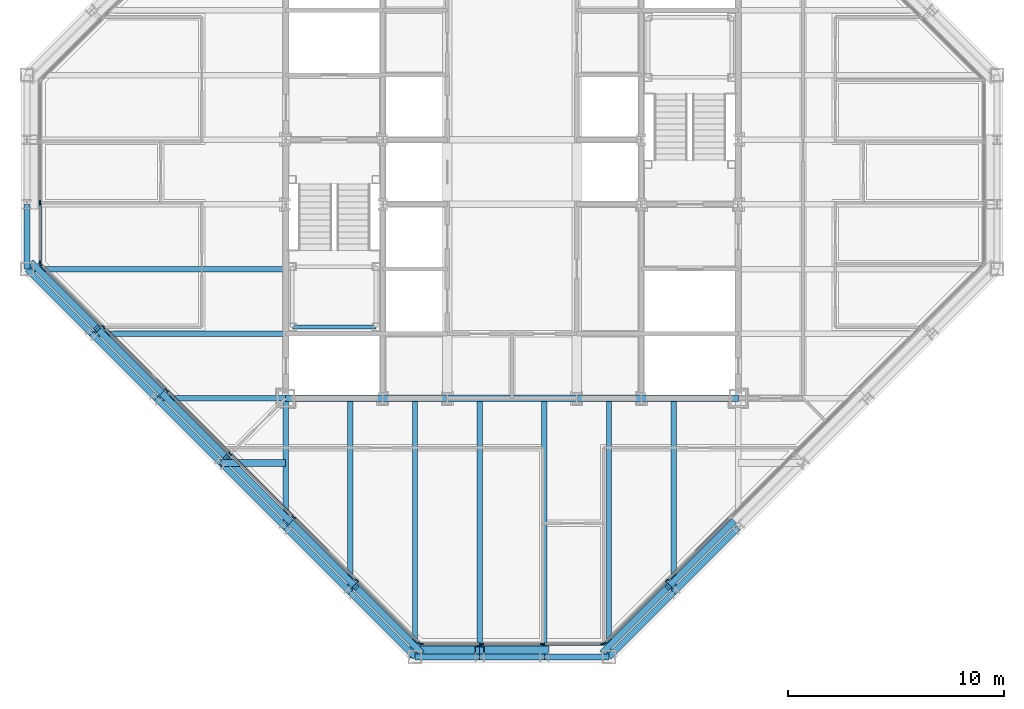
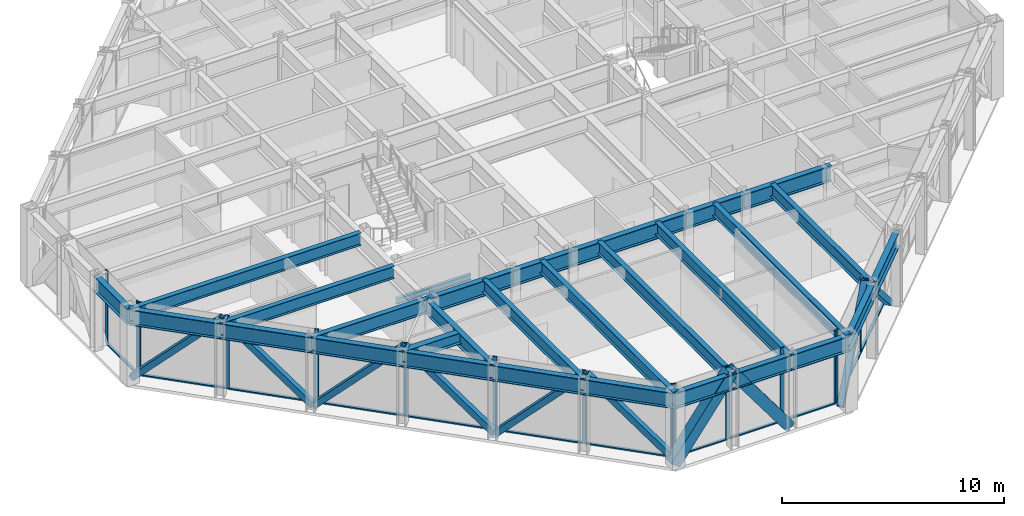
# One storey, part 5 of 15: 37 members, 29 beams, 4 elements without a shape of their own.
"""IFC4 building model written with IfcOpenShell, lengths in metres."""

from ifc_helpers import new_model, si_unit, direction, frame, origin, origin_2d, place, context, subcontext, project, spatial, rectangle, hollow_rectangle, i_section, extrude, material, layer, layer_set, material_profile, profile_set, type_object, element, aggregate, save


model = new_model("IFC4")

# Units and contexts
model_context = context("Model", 3, precision=1e-05, world=origin(), true_north=direction((0.0, 1.0)))
body_context = subcontext(model_context, "Body", "Model", "MODEL_VIEW")
ifc_project = project(units=[si_unit("LENGTHUNIT", "METRE"), si_unit("AREAUNIT", "SQUARE_METRE"), si_unit("VOLUMEUNIT", "CUBIC_METRE"), si_unit("PLANEANGLEUNIT", "RADIAN"), si_unit("MASSUNIT", "GRAM", prefix="KILO")], contexts=[model_context])

# Site, building, storey
site_placement = place(None, origin())
site = spatial("IfcSite", under=ifc_project, at=site_placement, CompositionType="ELEMENT")
building_placement = place(site_placement, origin())
building = spatial("IfcBuilding", under=site, at=building_placement, Name="Chuquiago Exchange Tower", CompositionType="ELEMENT")
storey_placement = place(building_placement, frame((0.0, 0.0, 279.0)))
storey = spatial("IfcBuildingStorey", under=building, at=storey_placement, Name="L62", CompositionType="ELEMENT", Elevation=279.0)

# Beams
ifc_material_1 = material(Name="Steel ASTM A992", Category="steel")
ifc_material_profile_1 = material_profile(ifc_material_1, i_section(OverallWidth=0.25390625, OverallDepth=0.683349609375, WebThickness=0.012451171875, FlangeThickness=0.018798828125, at=origin_2d()), Name="W27X94")
ifc_profile_set_1 = profile_set([ifc_material_profile_1], Name="Steel ASTM A992")
beam_type_1 = type_object("IfcBeamType", Name="B1 W27X94", PredefinedType="BEAM", material=ifc_profile_set_1)
beam_1_placement = place(storey_placement, frame((15.0, 12.0, 3.698486328125), z_axis=(0.0, -1.0, 0.0), x_axis=(1.0, 0.0, 0.0)))
element("IfcBeam", 1, at=beam_1_placement, inside=storey, type_object=beam_type_1, Name="FB-L63-infill-15_12-15_3-0", PredefinedType="BEAM", context=body_context, shape_type="SweptSolid", body=[
    extrude(i_section(OverallWidth=0.25390625, OverallDepth=0.683349609375, WebThickness=0.012451171875, FlangeThickness=0.018798828125, at=origin_2d()), origin(), (0.0, 0.0, 1.0), 9.0),
])
for number, where, z_axis, x_axis, name in (
    (2, (18.0, 12.0, 3.698486328125), (0.0, -1.0, 0.0), (1.0, 0.0, 0.0), "FB-L63-infill-18_12-18_-0-0"),
    (3, (21.0, 12.0, 3.698486328125), (0.0, -1.0, 0.0), (1.0, 0.0, 0.0), "FB-L63-infill-21_12-21_-0-0"),
    (4, (24.0, 12.0, 3.698486328125), (0.0, -1.0, 0.0), (1.0, 0.0, 0.0), "FB-L63-infill-24_12-24_-0-0"),
    (5, (27.0, 12.0, 3.698486328125), (0.0, -1.0, 0.0), (1.0, 0.0, 0.0), "FB-L63-infill-27_12-27_-0-0"),
):
    element("IfcBeam", number, at=place(storey_placement, frame(where, z_axis=z_axis, x_axis=x_axis)), inside=storey, type_object=beam_type_1, Name=name, PredefinedType="BEAM", context=body_context, shape_type="SweptSolid", body=[
        extrude(i_section(OverallWidth=0.25390625, OverallDepth=0.683349609375, WebThickness=0.012451171875, FlangeThickness=0.018798828125, at=origin_2d()), origin(), (0.0, 0.0, 1.0), 12.0),
    ])
for number, where, z_axis, x_axis, name in (
    (6, (30.0, 12.0, 3.698486328125), (0.0, -1.0, 0.0), (1.0, 0.0, 0.0), "FB-L63-infill-30_12-30_3-0"),
    (7, (12.0, 15.0, 3.698486328125), (-1.0, 0.0, 0.0), (0.0, -1.0, 0.0), "FB-L63-infill-12_15-3_15-0"),
):
    element("IfcBeam", number, at=place(storey_placement, frame(where, z_axis=z_axis, x_axis=x_axis)), inside=storey, type_object=beam_type_1, Name=name, PredefinedType="BEAM", context=body_context, shape_type="SweptSolid", body=[
        extrude(i_section(OverallWidth=0.25390625, OverallDepth=0.683349609375, WebThickness=0.012451171875, FlangeThickness=0.018798828125, at=origin_2d()), origin(), (0.0, 0.0, 1.0), 9.0),
    ])
beam_2_placement = place(storey_placement, frame((12.0, 18.0, 3.698486328125), z_axis=(-1.0, 0.0, 0.0), x_axis=(0.0, -1.0, 0.0)))
element("IfcBeam", 8, at=beam_2_placement, inside=storey, type_object=beam_type_1, Name="FB-L63-infill-12_18--0_18-0", PredefinedType="BEAM", context=body_context, shape_type="SweptSolid", body=[
    extrude(i_section(OverallWidth=0.25390625, OverallDepth=0.683349609375, WebThickness=0.012451171875, FlangeThickness=0.018798828125, at=origin_2d()), origin(), (0.0, 0.0, 1.0), 12.0),
])
ifc_material_2 = material(Name="Steel ASTM A992", Category="steel")
ifc_material_profile_2 = material_profile(ifc_material_2, i_section(OverallWidth=0.3251953125, OverallDepth=0.612060546875, WebThickness=0.0126953125, FlangeThickness=0.01904296875, at=origin_2d()), Name="W24X104")
ifc_profile_set_2 = profile_set([ifc_material_profile_2], Name="Steel ASTM A992")
beam_type_2 = type_object("IfcBeamType", Name="B2 W24X104", PredefinedType="BEAM", material=ifc_profile_set_2)
beam_3_placement = place(storey_placement, frame((12.0, 9.0, 3.73388671875), z_axis=(-1.0, 0.0, 0.0), x_axis=(0.0, -1.0, 0.0)))
element("IfcBeam", 9, at=beam_3_placement, inside=storey, type_object=beam_type_2, Name="FB-L63-corner-12_9-9_9-0", PredefinedType="BEAM", context=body_context, shape_type="SweptSolid", body=[
    extrude(i_section(OverallWidth=0.3251953125, OverallDepth=0.612060546875, WebThickness=0.0126953125, FlangeThickness=0.01904296875, at=origin_2d()), origin(), (0.0, 0.0, 1.0), 3.0),
])
ifc_material_3 = material(Name="Steel ASTM A992", Category="steel")
ifc_material_profile_3 = material_profile(ifc_material_3, i_section(OverallWidth=0.2919921875, OverallDepth=0.8583984375, WebThickness=0.01708984375, FlangeThickness=0.031005859375, at=origin_2d()), Name="W33X169")
ifc_profile_set_3 = profile_set([ifc_material_profile_3], Name="Steel ASTM A992")
beam_type_3 = type_object("IfcBeamType", Name="B3 W33X169", PredefinedType="BEAM", material=ifc_profile_set_3)
beam_4_placement = place(storey_placement, frame((12.0, 12.0, 3.610595703125), z_axis=(1.0, 0.0, 0.0), x_axis=(0.0, 1.0, 0.0)))
element("IfcBeam", 10, at=beam_4_placement, inside=storey, type_object=beam_type_3, Name="CB-L63-12_12-16.5_12", PredefinedType="BEAM", context=body_context, shape_type="SweptSolid", body=[
    extrude(i_section(OverallWidth=0.2919921875, OverallDepth=0.8583984375, WebThickness=0.01708984375, FlangeThickness=0.031005859375, at=origin_2d()), origin(), (0.0, 0.0, 1.0), 4.5),
])
beam_5_placement = place(storey_placement, frame((16.5, 12.0, 3.610595703125), z_axis=(1.0, 0.0, 0.0), x_axis=(0.0, 1.0, 0.0)))
element("IfcBeam", 11, at=beam_5_placement, inside=storey, type_object=beam_type_3, Name="CB-L63-16.5_12-19.5_12", PredefinedType="BEAM", context=body_context, shape_type="SweptSolid", body=[
    extrude(i_section(OverallWidth=0.2919921875, OverallDepth=0.8583984375, WebThickness=0.01708984375, FlangeThickness=0.031005859375, at=origin_2d()), origin(), (0.0, 0.0, 1.0), 3.0),
])
beam_6_placement = place(storey_placement, frame((19.5, 12.0, 3.610595703125), z_axis=(1.0, 0.0, 0.0), x_axis=(0.0, 1.0, 0.0)))
element("IfcBeam", 12, at=beam_6_placement, inside=storey, type_object=beam_type_3, Name="CB-L63-19.5_12-25.5_12", PredefinedType="BEAM", context=body_context, shape_type="SweptSolid", body=[
    extrude(i_section(OverallWidth=0.2919921875, OverallDepth=0.8583984375, WebThickness=0.01708984375, FlangeThickness=0.031005859375, at=origin_2d()), origin(), (0.0, 0.0, 1.0), 6.0),
])
beam_7_placement = place(storey_placement, frame((25.5, 12.0, 3.610595703125), z_axis=(1.0, 0.0, 0.0), x_axis=(0.0, 1.0, 0.0)))
element("IfcBeam", 13, at=beam_7_placement, inside=storey, type_object=beam_type_3, Name="CB-L63-25.5_12-28.5_12", PredefinedType="BEAM", context=body_context, shape_type="SweptSolid", body=[
    extrude(i_section(OverallWidth=0.2919921875, OverallDepth=0.8583984375, WebThickness=0.01708984375, FlangeThickness=0.031005859375, at=origin_2d()), origin(), (0.0, 0.0, 1.0), 3.0),
])
beam_8_placement = place(storey_placement, frame((28.5, 12.0, 3.610595703125), z_axis=(1.0, 0.0, 0.0), x_axis=(0.0, 1.0, 0.0)))
element("IfcBeam", 14, at=beam_8_placement, inside=storey, type_object=beam_type_3, Name="CB-L63-28.5_12-33_12", PredefinedType="BEAM", context=body_context, shape_type="SweptSolid", body=[
    extrude(i_section(OverallWidth=0.2919921875, OverallDepth=0.8583984375, WebThickness=0.01708984375, FlangeThickness=0.031005859375, at=origin_2d()), origin(), (0.0, 0.0, 1.0), 4.5),
])

# Curtain wall, members
ifc_material_4 = material(Name="Aluminium curtain wall system", Category="aluminium")
ifc_layer_1 = layer(ifc_material_4, 0.22509765625)
ifc_layer_set_1 = layer_set([ifc_layer_1], Name="CW2 office curtain wall")
curtain_wall_type_1 = type_object("IfcCurtainWallType", Name="CW2 office curtain wall", PredefinedType="NOTDEFINED", material=ifc_layer_set_1)
curtain_wall_1_placement = place(storey_placement, origin())
curtain_wall_1 = element("IfcCurtainWall", 15, at=curtain_wall_1_placement, inside=storey, type_object=curtain_wall_type_1, Name="CW2 curtain wall L62", PredefinedType="NOTDEFINED")
ifc_material_5 = material(Name="Aluminium mullion, pale anodised", Category="aluminium")
ifc_material_profile_4 = material_profile(ifc_material_5, rectangle(XDim=0.06494140625, YDim=0.22509765625, at=origin_2d()), Name="AL 65x225")
ifc_profile_set_4 = profile_set([ifc_material_profile_4], Name="Aluminium mullion, pale anodised")
member_type_1 = type_object("IfcMemberType", Name="CW2-M mullion 65x225", PredefinedType="MULLION", material=ifc_profile_set_4)
member_1_placement = place(storey_placement, frame((18.281005859375, 0.60009765625, 0.0), z_axis=(0.0, 0.0, 1.0), x_axis=(0.0, 1.0, 0.0)))
member_1 = element("IfcMember", 16, at=member_1_placement, type_object=member_type_1, Name="CW2 mullion 1", PredefinedType="MULLION", context=body_context, shape_type="SweptSolid", body=[
    extrude(rectangle(XDim=0.06494140625, YDim=0.22509765625, at=origin_2d()), origin(), (0.0, 0.0, 1.0), 4.0400390625),
])
member_2_placement = place(storey_placement, frame((21.082763671875, 0.60009765625, 0.0), z_axis=(0.0, 0.0, 1.0), x_axis=(0.0, 1.0, 0.0)))
member_2 = element("IfcMember", 17, at=member_2_placement, type_object=member_type_1, Name="CW2 mullion 2", PredefinedType="MULLION", context=body_context, shape_type="SweptSolid", body=[
    extrude(rectangle(XDim=0.06494140625, YDim=0.22509765625, at=origin_2d()), origin(), (0.0, 0.0, 1.0), 4.0400390625),
])
member_3_placement = place(storey_placement, frame((23.917236328125, 0.60009765625, 0.0), z_axis=(0.0, 0.0, 1.0), x_axis=(0.0, 1.0, 0.0)))
member_3 = element("IfcMember", 18, at=member_3_placement, type_object=member_type_1, Name="CW2 mullion 3", PredefinedType="MULLION", context=body_context, shape_type="SweptSolid", body=[
    extrude(rectangle(XDim=0.06494140625, YDim=0.22509765625, at=origin_2d()), origin(), (0.0, 0.0, 1.0), 4.0400390625),
])
member_4_placement = place(storey_placement, frame((26.718994140625, 0.60009765625, 0.0), z_axis=(0.0, 0.0, 1.0), x_axis=(0.0, 1.0, 0.0)))
member_4 = element("IfcMember", 19, at=member_4_placement, type_object=member_type_1, Name="CW2 mullion 4", PredefinedType="MULLION", context=body_context, shape_type="SweptSolid", body=[
    extrude(rectangle(XDim=0.06494140625, YDim=0.22509765625, at=origin_2d()), origin(), (0.0, 0.0, 1.0), 4.0400390625),
])

curtain_wall_2_placement = place(storey_placement, origin())
curtain_wall_2 = element("IfcCurtainWall", 20, at=curtain_wall_2_placement, inside=storey, type_object=curtain_wall_type_1, Name="CW2 curtain wall L62", PredefinedType="NOTDEFINED")
member_5_placement = place(storey_placement, frame((0.60009765625, 21.082763671875, 0.0), z_axis=(0.0, 0.0, 1.0), x_axis=(1.0, 0.0, 0.0)))
member_5 = element("IfcMember", 21, at=member_5_placement, type_object=member_type_1, Name="CW2 mullion 3", PredefinedType="MULLION", context=body_context, shape_type="SweptSolid", body=[
    extrude(rectangle(XDim=0.06494140625, YDim=0.22509765625, at=origin_2d()), origin(), (0.0, 0.0, 1.0), 4.0400390625),
])
member_6_placement = place(storey_placement, frame((0.60009765625, 18.281005859375, 0.0), z_axis=(0.0, 0.0, 1.0), x_axis=(1.0, 0.0, 0.0)))
member_6 = element("IfcMember", 22, at=member_6_placement, type_object=member_type_1, Name="CW2 mullion 4", PredefinedType="MULLION", context=body_context, shape_type="SweptSolid", body=[
    extrude(rectangle(XDim=0.06494140625, YDim=0.22509765625, at=origin_2d()), origin(), (0.0, 0.0, 1.0), 4.0400390625),
])

# Member
ifc_material_6 = material(Name="Aluminium transom, pale anodised", Category="aluminium")
ifc_material_profile_5 = material_profile(ifc_material_6, rectangle(XDim=0.139892578125, YDim=0.06494140625, at=origin_2d()), Name="AL 140x65")
ifc_profile_set_5 = profile_set([ifc_material_profile_5], Name="Aluminium transom, pale anodised")
member_type_2 = type_object("IfcMemberType", Name="CW2-T transom 65x140", PredefinedType="MULLION", material=ifc_profile_set_5)
member_7_placement = place(storey_placement, frame((18.3134765625, 0.60009765625, 0.032470703125), z_axis=(1.0, 0.0, 0.0), x_axis=(0.0, 1.0, 0.0)))
member_7 = element("IfcMember", 23, at=member_7_placement, type_object=member_type_2, Name="CW2 transom 1.1", PredefinedType="MULLION", context=body_context, shape_type="SweptSolid", body=[
    extrude(rectangle(XDim=0.139892578125, YDim=0.06494140625, at=origin_2d()), origin(), (0.0, 0.0, 1.0), 2.73681640625),
])

member_8_placement = place(storey_placement, frame((21.115234375, 0.60009765625, 0.032470703125), z_axis=(1.0, 0.0, 0.0), x_axis=(0.0, 1.0, 0.0)))
member_8 = element("IfcMember", 24, at=member_8_placement, type_object=member_type_2, Name="CW2 transom 2.1", PredefinedType="MULLION", context=body_context, shape_type="SweptSolid", body=[
    extrude(rectangle(XDim=0.139892578125, YDim=0.06494140625, at=origin_2d()), origin(), (0.0, 0.0, 1.0), 2.76953125),
])

member_9_placement = place(storey_placement, frame((23.94970703125, 0.60009765625, 0.032470703125), z_axis=(1.0, 0.0, 0.0), x_axis=(0.0, 1.0, 0.0)))
member_9 = element("IfcMember", 25, at=member_9_placement, type_object=member_type_2, Name="CW2 transom 3.1", PredefinedType="MULLION", context=body_context, shape_type="SweptSolid", body=[
    extrude(rectangle(XDim=0.139892578125, YDim=0.06494140625, at=origin_2d()), origin(), (0.0, 0.0, 1.0), 2.73681640625),
])

aggregate(curtain_wall_1, [member_1, member_2, member_3, member_4, member_7, member_8, member_9])

member_10_placement = place(storey_placement, frame((0.60009765625, 21.05029296875, 0.032470703125), z_axis=(0.0, -1.0, 0.0), x_axis=(1.0, 0.0, 0.0)))
member_10 = element("IfcMember", 26, at=member_10_placement, type_object=member_type_2, Name="CW2 transom 3.1", PredefinedType="MULLION", context=body_context, shape_type="SweptSolid", body=[
    extrude(rectangle(XDim=0.139892578125, YDim=0.06494140625, at=origin_2d()), origin(), (0.0, 0.0, 1.0), 2.73681640625),
])

aggregate(curtain_wall_2, [member_5, member_6, member_10])

# Curtain wall, members
ifc_material_7 = material(Name="Aluminium curtain wall system", Category="aluminium")
ifc_layer_2 = layer(ifc_material_7, 0.199951171875)
ifc_layer_set_2 = layer_set([ifc_layer_2], Name="CW3 facet curtain wall")
curtain_wall_type_2 = type_object("IfcCurtainWallType", Name="CW3 facet curtain wall", PredefinedType="NOTDEFINED", material=ifc_layer_set_2)
curtain_wall_3_placement = place(storey_placement, origin())
curtain_wall_3 = element("IfcCurtainWall", 27, at=curtain_wall_3_placement, inside=storey, type_object=curtain_wall_type_2, Name="CW3 curtain wall L62", PredefinedType="NOTDEFINED")
ifc_material_8 = material(Name="Aluminium mullion, pale anodised", Category="aluminium")
ifc_material_profile_6 = material_profile(ifc_material_8, rectangle(XDim=0.06494140625, YDim=0.199951171875, at=origin_2d()), Name="AL 65x200")
ifc_profile_set_6 = profile_set([ifc_material_profile_6], Name="Aluminium mullion, pale anodised")
member_type_3 = type_object("IfcMemberType", Name="CW3-M mullion 65x200", PredefinedType="MULLION", material=ifc_profile_set_6)
member_11_placement = place(storey_placement, frame((26.7744140625, 0.623046875, 0.0), z_axis=(0.0, 0.0, 1.0), x_axis=(-0.707106781187, 0.707106781187, 0.0)))
member_11 = element("IfcMember", 28, at=member_11_placement, type_object=member_type_3, Name="CW3 mullion 1", PredefinedType="MULLION", context=body_context, shape_type="SweptSolid", body=[
    extrude(rectangle(XDim=0.06494140625, YDim=0.199951171875, at=origin_2d()), origin(), (0.0, 0.0, 1.0), 4.0400390625),
])
member_12_placement = place(storey_placement, frame((29.69287109375, 3.54150390625, 0.0), z_axis=(0.0, 0.0, 1.0), x_axis=(-0.707106781187, 0.707106781187, 0.0)))
member_12 = element("IfcMember", 29, at=member_12_placement, type_object=member_type_3, Name="CW3 mullion 2", PredefinedType="MULLION", context=body_context, shape_type="SweptSolid", body=[
    extrude(rectangle(XDim=0.06494140625, YDim=0.199951171875, at=origin_2d()), origin(), (0.0, 0.0, 1.0), 4.0400390625),
])

curtain_wall_4_placement = place(storey_placement, origin())
curtain_wall_4 = element("IfcCurtainWall", 30, at=curtain_wall_4_placement, inside=storey, type_object=curtain_wall_type_2, Name="CW3 curtain wall L62", PredefinedType="NOTDEFINED")
member_13_placement = place(storey_placement, frame((0.623046875, 18.2255859375, 0.0), z_axis=(0.0, 0.0, 1.0), x_axis=(0.707106781187, 0.707106781187, 0.0)))
member_13 = element("IfcMember", 31, at=member_13_placement, type_object=member_type_3, Name="CW3 mullion 1", PredefinedType="MULLION", context=body_context, shape_type="SweptSolid", body=[
    extrude(rectangle(XDim=0.06494140625, YDim=0.199951171875, at=origin_2d()), origin(), (0.0, 0.0, 1.0), 4.0400390625),
])
member_14_placement = place(storey_placement, frame((3.54150390625, 15.30712890625, 0.0), z_axis=(0.0, 0.0, 1.0), x_axis=(0.707106781187, 0.707106781187, 0.0)))
member_14 = element("IfcMember", 32, at=member_14_placement, type_object=member_type_3, Name="CW3 mullion 2", PredefinedType="MULLION", context=body_context, shape_type="SweptSolid", body=[
    extrude(rectangle(XDim=0.06494140625, YDim=0.199951171875, at=origin_2d()), origin(), (0.0, 0.0, 1.0), 4.0400390625),
])
member_15_placement = place(storey_placement, frame((6.48291015625, 12.36572265625, 0.0), z_axis=(0.0, 0.0, 1.0), x_axis=(0.707106781187, 0.707106781187, 0.0)))
member_15 = element("IfcMember", 33, at=member_15_placement, type_object=member_type_3, Name="CW3 mullion 3", PredefinedType="MULLION", context=body_context, shape_type="SweptSolid", body=[
    extrude(rectangle(XDim=0.06494140625, YDim=0.199951171875, at=origin_2d()), origin(), (0.0, 0.0, 1.0), 4.0400390625),
])
member_16_placement = place(storey_placement, frame((9.42431640625, 9.42431640625, 0.0), z_axis=(0.0, 0.0, 1.0), x_axis=(0.707106781187, 0.707106781187, 0.0)))
member_16 = element("IfcMember", 34, at=member_16_placement, type_object=member_type_3, Name="CW3 mullion 4", PredefinedType="MULLION", context=body_context, shape_type="SweptSolid", body=[
    extrude(rectangle(XDim=0.06494140625, YDim=0.199951171875, at=origin_2d()), origin(), (0.0, 0.0, 1.0), 4.0400390625),
])
member_17_placement = place(storey_placement, frame((12.36572265625, 6.48291015625, 0.0), z_axis=(0.0, 0.0, 1.0), x_axis=(0.707106781187, 0.707106781187, 0.0)))
member_17 = element("IfcMember", 35, at=member_17_placement, type_object=member_type_3, Name="CW3 mullion 5", PredefinedType="MULLION", context=body_context, shape_type="SweptSolid", body=[
    extrude(rectangle(XDim=0.06494140625, YDim=0.199951171875, at=origin_2d()), origin(), (0.0, 0.0, 1.0), 4.0400390625),
])
member_18_placement = place(storey_placement, frame((15.30712890625, 3.54150390625, 0.0), z_axis=(0.0, 0.0, 1.0), x_axis=(0.707106781187, 0.707106781187, 0.0)))
member_18 = element("IfcMember", 36, at=member_18_placement, type_object=member_type_3, Name="CW3 mullion 6", PredefinedType="MULLION", context=body_context, shape_type="SweptSolid", body=[
    extrude(rectangle(XDim=0.06494140625, YDim=0.199951171875, at=origin_2d()), origin(), (0.0, 0.0, 1.0), 4.0400390625),
])
member_19_placement = place(storey_placement, frame((18.2255859375, 0.623046875, 0.0), z_axis=(0.0, 0.0, 1.0), x_axis=(0.707106781187, 0.707106781187, 0.0)))
member_19 = element("IfcMember", 37, at=member_19_placement, type_object=member_type_3, Name="CW3 mullion 7", PredefinedType="MULLION", context=body_context, shape_type="SweptSolid", body=[
    extrude(rectangle(XDim=0.06494140625, YDim=0.199951171875, at=origin_2d()), origin(), (0.0, 0.0, 1.0), 4.0400390625),
])

# Member
ifc_material_9 = material(Name="Aluminium transom, pale anodised", Category="aluminium")
ifc_material_profile_7 = material_profile(ifc_material_9, rectangle(XDim=0.139892578125, YDim=0.06494140625, at=origin_2d()), Name="AL 140x65")
ifc_profile_set_7 = profile_set([ifc_material_profile_7], Name="Aluminium transom, pale anodised")
member_type_4 = type_object("IfcMemberType", Name="CW3-T transom 65x140", PredefinedType="MULLION", material=ifc_profile_set_7)
member_20_placement = place(storey_placement, frame((26.79736328125, 0.64599609375, 0.032470703125), z_axis=(0.707106781187, 0.707106781187, 0.0), x_axis=(-0.707106781187, 0.707106781187, 0.0)))
member_20 = element("IfcMember", 38, at=member_20_placement, type_object=member_type_4, Name="CW3 transom 1.1", PredefinedType="MULLION", context=body_context, shape_type="SweptSolid", body=[
    extrude(rectangle(XDim=0.139892578125, YDim=0.06494140625, at=origin_2d()), origin(), (0.0, 0.0, 1.0), 4.0625),
])

member_21_placement = place(storey_placement, frame((29.7158203125, 3.564453125, 0.032470703125), z_axis=(0.707106781187, 0.707106781187, 0.0), x_axis=(-0.707106781187, 0.707106781187, 0.0)))
member_21 = element("IfcMember", 39, at=member_21_placement, type_object=member_type_4, Name="CW3 transom 2.1", PredefinedType="MULLION", context=body_context, shape_type="SweptSolid", body=[
    extrude(rectangle(XDim=0.139892578125, YDim=0.06494140625, at=origin_2d()), origin(), (0.0, 0.0, 1.0), 4.094970703125),
])

aggregate(curtain_wall_3, [member_11, member_12, member_20, member_21])

member_22_placement = place(storey_placement, frame((0.64599609375, 18.20263671875, 0.032470703125), z_axis=(0.707106781187, -0.707106781187, 0.0), x_axis=(0.707106781187, 0.707106781187, 0.0)))
member_22 = element("IfcMember", 40, at=member_22_placement, type_object=member_type_4, Name="CW3 transom 1.1", PredefinedType="MULLION", context=body_context, shape_type="SweptSolid", body=[
    extrude(rectangle(XDim=0.139892578125, YDim=0.06494140625, at=origin_2d()), origin(), (0.0, 0.0, 1.0), 4.0625),
])

member_23_placement = place(storey_placement, frame((3.564453125, 15.2841796875, 0.032470703125), z_axis=(0.707106781187, -0.707106781187, 0.0), x_axis=(0.707106781187, 0.707106781187, 0.0)))
member_23 = element("IfcMember", 41, at=member_23_placement, type_object=member_type_4, Name="CW3 transom 2.1", PredefinedType="MULLION", context=body_context, shape_type="SweptSolid", body=[
    extrude(rectangle(XDim=0.139892578125, YDim=0.06494140625, at=origin_2d()), origin(), (0.0, 0.0, 1.0), 4.094970703125),
])

member_24_placement = place(storey_placement, frame((6.505859375, 12.3427734375, 0.032470703125), z_axis=(0.707106781187, -0.707106781187, 0.0), x_axis=(0.707106781187, 0.707106781187, 0.0)))
member_24 = element("IfcMember", 42, at=member_24_placement, type_object=member_type_4, Name="CW3 transom 3.1", PredefinedType="MULLION", context=body_context, shape_type="SweptSolid", body=[
    extrude(rectangle(XDim=0.139892578125, YDim=0.06494140625, at=origin_2d()), origin(), (0.0, 0.0, 1.0), 4.094970703125),
])

member_25_placement = place(storey_placement, frame((9.447265625, 9.4013671875, 0.032470703125), z_axis=(0.707106781187, -0.707106781187, 0.0), x_axis=(0.707106781187, 0.707106781187, 0.0)))
member_25 = element("IfcMember", 43, at=member_25_placement, type_object=member_type_4, Name="CW3 transom 4.1", PredefinedType="MULLION", context=body_context, shape_type="SweptSolid", body=[
    extrude(rectangle(XDim=0.139892578125, YDim=0.06494140625, at=origin_2d()), origin(), (0.0, 0.0, 1.0), 4.094970703125),
])

member_26_placement = place(storey_placement, frame((12.388671875, 6.4599609375, 0.032470703125), z_axis=(0.707106781187, -0.707106781187, 0.0), x_axis=(0.707106781187, 0.707106781187, 0.0)))
member_26 = element("IfcMember", 44, at=member_26_placement, type_object=member_type_4, Name="CW3 transom 5.1", PredefinedType="MULLION", context=body_context, shape_type="SweptSolid", body=[
    extrude(rectangle(XDim=0.139892578125, YDim=0.06494140625, at=origin_2d()), origin(), (0.0, 0.0, 1.0), 4.094970703125),
])

member_27_placement = place(storey_placement, frame((15.330078125, 3.5185546875, 0.032470703125), z_axis=(0.707106781187, -0.707106781187, 0.0), x_axis=(0.707106781187, 0.707106781187, 0.0)))
member_27 = element("IfcMember", 45, at=member_27_placement, type_object=member_type_4, Name="CW3 transom 6.1", PredefinedType="MULLION", context=body_context, shape_type="SweptSolid", body=[
    extrude(rectangle(XDim=0.139892578125, YDim=0.06494140625, at=origin_2d()), origin(), (0.0, 0.0, 1.0), 4.0625),
])

aggregate(curtain_wall_4, [member_13, member_14, member_15, member_16, member_17, member_18, member_19, member_22, member_23, member_24, member_25, member_26, member_27])

# Beams
ifc_material_10 = material(Name="Steel ASTM A992", Category="steel")
ifc_material_profile_8 = material_profile(ifc_material_10, i_section(OverallWidth=0.2666015625, OverallDepth=0.76953125, WebThickness=0.015625, FlangeThickness=0.025390625, at=origin_2d()), Name="W30X132")
ifc_profile_set_8 = profile_set([ifc_material_profile_8], Name="Steel ASTM A992")
beam_type_4 = type_object("IfcBeamType", Name="G1 W30X132", PredefinedType="BEAM", material=ifc_profile_set_8)
for number, where, z_axis, x_axis, name in (
    (46, (12.0, 12.0, 3.6552734375), (0.0, -1.0, 0.0), (1.0, 0.0, 0.0), "FB-L63-girder-12_12-12_6-0"),
    (47, (12.0, 12.0, 3.6552734375), (-1.0, 0.0, 0.0), (0.0, -1.0, 0.0), "FB-L63-girder-12_12-6_12-0"),
):
    element("IfcBeam", number, at=place(storey_placement, frame(where, z_axis=z_axis, x_axis=x_axis)), inside=storey, type_object=beam_type_4, Name=name, PredefinedType="BEAM", context=body_context, shape_type="SweptSolid", body=[
        extrude(i_section(OverallWidth=0.2666015625, OverallDepth=0.76953125, WebThickness=0.015625, FlangeThickness=0.025390625, at=origin_2d()), origin(), (0.0, 0.0, 1.0), 6.0),
    ])

# Members
ifc_material_11 = material(Name="Steel ASTM A500 Grade C", Category="steel")
ifc_material_profile_9 = material_profile(ifc_material_11, hollow_rectangle(XDim=0.3046875, YDim=0.3046875, WallThickness=0.0146484375, at=origin_2d()), Name="HSS12X12X5/8")
ifc_profile_set_9 = profile_set([ifc_material_profile_9], Name="Steel ASTM A500 Grade C")
member_type_5 = type_object("IfcMemberType", Name="LB3 HSS12X12X5/8", PredefinedType="BRACE", material=ifc_profile_set_9)
for number, where, z_axis, x_axis, name in (
    (48, (26.750732421875, 0.249267578125, 0.0), (0.512077265487, 0.512077265487, 0.689604051861), (-0.707106781187, 0.707106781187, 0.0), "LB-L62-27_0-30_3"),
    (49, (32.750732421875, 6.249267578125, 0.0), (-0.512077265487, -0.512077265487, 0.689604051861), (0.707106781187, -0.707106781187, 0.0), "LB-L62-30_3-33_6"),
    (50, (0.249267578125, 18.249267578125, 0.0), (0.512077265487, -0.512077265487, 0.689604051861), (0.707106781187, 0.707106781187, 0.0), "LB-L62-0_18-3_15"),
    (51, (6.249267578125, 12.249267578125, 0.0), (-0.512077265487, 0.512077265487, 0.689604051861), (-0.707106781187, -0.707106781187, 0.0), "LB-L62-3_15-6_12"),
    (52, (6.249267578125, 12.249267578125, 0.0), (0.512077265487, -0.512077265487, 0.689604051861), (0.707106781187, 0.707106781187, 0.0), "LB-L62-6_12-9_9"),
    (53, (12.249267578125, 6.249267578125, 0.0), (-0.512077265487, 0.512077265487, 0.689604051861), (-0.707106781187, -0.707106781187, 0.0), "LB-L62-9_9-12_6"),
    (54, (12.249267578125, 6.249267578125, 0.0), (0.512077265487, -0.512077265487, 0.689604051861), (0.707106781187, 0.707106781187, 0.0), "LB-L62-12_6-15_3"),
    (55, (18.249267578125, 0.249267578125, 0.0), (-0.512077265487, 0.512077265487, 0.689604051861), (-0.707106781187, -0.707106781187, 0.0), "LB-L62-15_3-18_0"),
):
    element("IfcMember", number, at=place(storey_placement, frame(where, z_axis=z_axis, x_axis=x_axis)), inside=storey, type_object=member_type_5, Name=name, PredefinedType="BRACE", context=body_context, shape_type="SweptSolid", body=[
        extrude(hollow_rectangle(XDim=0.3046875, YDim=0.3046875, WallThickness=0.0146484375, at=origin_2d()), origin(), (0.0, 0.0, 1.0), 5.8583984375),
    ])

# Beam
ifc_material_12 = material(Name="Steel ASTM A992", Category="steel")
ifc_material_profile_10 = material_profile(ifc_material_12, i_section(OverallWidth=0.164794921875, OverallDepth=0.309814453125, WebThickness=0.005859375, FlangeThickness=0.009765625, at=origin_2d()), Name="W12X26")
ifc_profile_set_10 = profile_set([ifc_material_profile_10], Name="Steel ASTM A992")
beam_type_5 = type_object("IfcBeamType", Name="LT1 W12X26", PredefinedType="BEAM", material=ifc_profile_set_10)
beam_9_placement = place(storey_placement, frame((12.31005859375, 15.31005859375, 1.7451171875), z_axis=(1.0, 0.0, 0.0), x_axis=(0.0, 1.0, 0.0)))
element("IfcBeam", 56, at=beam_9_placement, inside=storey, type_object=beam_type_5, Name="Stair ST1 L62 landing 1 trimmer", PredefinedType="BEAM", context=body_context, shape_type="SweptSolid", body=[
    extrude(i_section(OverallWidth=0.164794921875, OverallDepth=0.309814453125, WebThickness=0.005859375, FlangeThickness=0.009765625, at=origin_2d()), origin(), (0.0, 0.0, 1.0), 3.8798828125),
])

# Members
ifc_material_13 = material(Name="Steel ASTM A572 Grade 50", Category="steel")
ifc_material_profile_11 = material_profile(ifc_material_13, hollow_rectangle(XDim=0.550048828125, YDim=0.550048828125, WallThickness=0.044921875, at=origin_2d()), Name="BOX550X550X45")
ifc_profile_set_11 = profile_set([ifc_material_profile_11], Name="Steel ASTM A572 Grade 50")
member_type_6 = type_object("IfcMemberType", Name="MB4 BOX550X550X45", PredefinedType="BRACE", material=ifc_profile_set_11)
for number, where, z_axis, x_axis, name in (
    (57, (18.0, 0.22998046875, 0.0), (0.596173923302, 0.0, 0.802855312728), (0.0, 1.0, 0.0), "Mega diagonal L62 S face"),
    (58, (24.0, 0.22998046875, 0.0), (-0.596173923302, 0.0, 0.802855312728), (0.0, -1.0, 0.0), "Mega diagonal L62 S face"),
):
    element("IfcMember", number, at=place(storey_placement, frame(where, z_axis=z_axis, x_axis=x_axis)), inside=storey, type_object=member_type_6, Name=name, PredefinedType="BRACE", context=body_context, shape_type="SweptSolid", body=[
        extrude(hollow_rectangle(XDim=0.550048828125, YDim=0.550048828125, WallThickness=0.044921875, at=origin_2d()), origin(), (0.0, 0.0, 1.0), 5.031982421875),
    ])

# Beams
ifc_material_14 = material(Name="Steel ASTM A992", Category="steel")
ifc_material_profile_12 = material_profile(ifc_material_14, i_section(OverallWidth=0.2919921875, OverallDepth=0.8583984375, WebThickness=0.01708984375, FlangeThickness=0.031005859375, at=origin_2d()), Name="W33X169")
ifc_profile_set_12 = profile_set([ifc_material_profile_12], Name="Steel ASTM A992")
beam_type_6 = type_object("IfcBeamType", Name="SP4 W33X169", PredefinedType="SPANDREL", material=ifc_profile_set_12)
for number, where, z_axis, x_axis, name in (
    (59, (18.0, 0.0, 3.610595703125), (1.0, 0.0, 0.0), (0.0, 1.0, 0.0), "SPB-L63-18_0-21_0"),
    (60, (21.0, 0.0, 3.610595703125), (1.0, 0.0, 0.0), (0.0, 1.0, 0.0), "SPB-L63-21_0-24_0"),
    (61, (24.0, 0.0, 3.610595703125), (1.0, 0.0, 0.0), (0.0, 1.0, 0.0), "SPB-L63-24_0-27_0"),
):
    element("IfcBeam", number, at=place(storey_placement, frame(where, z_axis=z_axis, x_axis=x_axis)), inside=storey, type_object=beam_type_6, Name=name, PredefinedType="SPANDREL", context=body_context, shape_type="SweptSolid", body=[
        extrude(i_section(OverallWidth=0.2919921875, OverallDepth=0.8583984375, WebThickness=0.01708984375, FlangeThickness=0.031005859375, at=origin_2d()), origin(), (0.0, 0.0, 1.0), 3.0),
    ])
for number, where, z_axis, x_axis, name in (
    (62, (27.0, 0.0, 3.610595703125), (0.707106781187, 0.707106781187, 0.0), (-0.707106781187, 0.707106781187, 0.0), "SPB-L63-27_0-30_3"),
    (63, (30.0, 3.0, 3.610595703125), (0.707106781187, 0.707106781187, 0.0), (-0.707106781187, 0.707106781187, 0.0), "SPB-L63-30_3-33_6"),
):
    element("IfcBeam", number, at=place(storey_placement, frame(where, z_axis=z_axis, x_axis=x_axis)), inside=storey, type_object=beam_type_6, Name=name, PredefinedType="SPANDREL", context=body_context, shape_type="SweptSolid", body=[
        extrude(i_section(OverallWidth=0.2919921875, OverallDepth=0.8583984375, WebThickness=0.01708984375, FlangeThickness=0.031005859375, at=origin_2d()), origin(), (0.0, 0.0, 1.0), 4.24267578125),
    ])
beam_10_placement = place(storey_placement, frame((0.0, 21.0, 3.610595703125), z_axis=(0.0, -1.0, 0.0), x_axis=(1.0, 0.0, 0.0)))
element("IfcBeam", 64, at=beam_10_placement, inside=storey, type_object=beam_type_6, Name="SPB-L63-0_21-0_18", PredefinedType="SPANDREL", context=body_context, shape_type="SweptSolid", body=[
    extrude(i_section(OverallWidth=0.2919921875, OverallDepth=0.8583984375, WebThickness=0.01708984375, FlangeThickness=0.031005859375, at=origin_2d()), origin(), (0.0, 0.0, 1.0), 3.0),
])
for number, where, z_axis, x_axis, name in (
    (65, (0.0, 18.0, 3.610595703125), (0.707106781187, -0.707106781187, 0.0), (0.707106781187, 0.707106781187, 0.0), "SPB-L63-0_18-3_15"),
    (66, (3.0, 15.0, 3.610595703125), (0.707106781187, -0.707106781187, 0.0), (0.707106781187, 0.707106781187, 0.0), "SPB-L63-3_15-6_12"),
    (67, (6.0, 12.0, 3.610595703125), (0.707106781187, -0.707106781187, 0.0), (0.707106781187, 0.707106781187, 0.0), "SPB-L63-6_12-9_9"),
    (68, (9.0, 9.0, 3.610595703125), (0.707106781187, -0.707106781187, 0.0), (0.707106781187, 0.707106781187, 0.0), "SPB-L63-9_9-12_6"),
    (69, (12.0, 6.0, 3.610595703125), (0.707106781187, -0.707106781187, 0.0), (0.707106781187, 0.707106781187, 0.0), "SPB-L63-12_6-15_3"),
    (70, (15.0, 3.0, 3.610595703125), (0.707106781187, -0.707106781187, 0.0), (0.707106781187, 0.707106781187, 0.0), "SPB-L63-15_3-18_0"),
):
    element("IfcBeam", number, at=place(storey_placement, frame(where, z_axis=z_axis, x_axis=x_axis)), inside=storey, type_object=beam_type_6, Name=name, PredefinedType="SPANDREL", context=body_context, shape_type="SweptSolid", body=[
        extrude(i_section(OverallWidth=0.2919921875, OverallDepth=0.8583984375, WebThickness=0.01708984375, FlangeThickness=0.031005859375, at=origin_2d()), origin(), (0.0, 0.0, 1.0), 4.24267578125),
    ])

save(model, "model.ifc")
